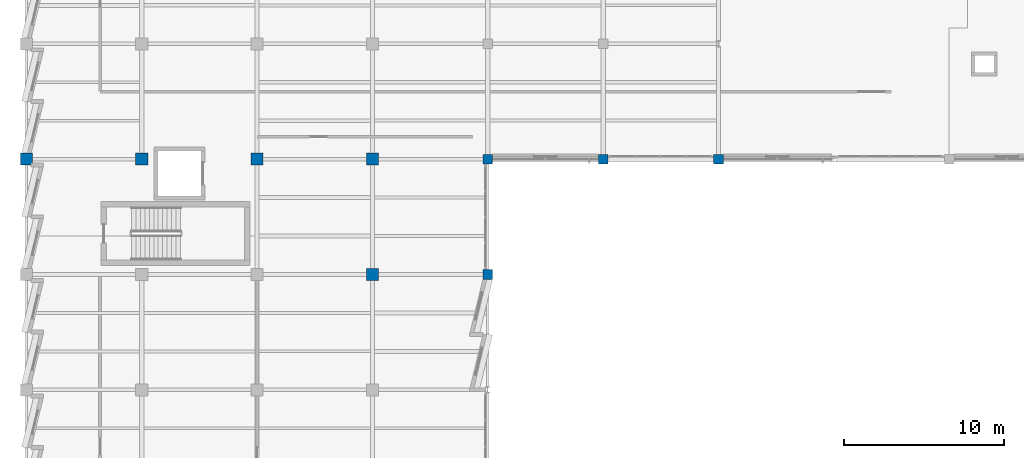
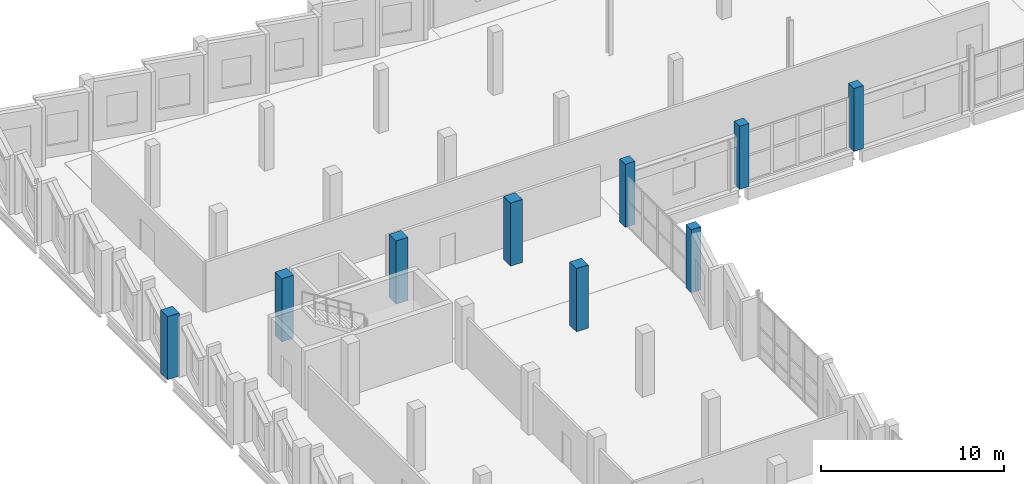
# One storey, part 8 of 94: 9 columns.
"""IFC4 building model written with IfcOpenShell, lengths in metres."""

from ifc_helpers import new_model, si_unit, direction, frame, origin, origin_2d, place, context, subcontext, project, spatial, rectangle, extrude, material, material_profile, profile_set, type_object, element, save


model = new_model("IFC4")

# Units and contexts
model_context = context("Model", 3, precision=1e-05, world=origin(), true_north=direction((0.0, 1.0)))
body_context = subcontext(model_context, "Body", "Model", "MODEL_VIEW")
ifc_project = project(units=[si_unit("LENGTHUNIT", "METRE"), si_unit("AREAUNIT", "SQUARE_METRE"), si_unit("VOLUMEUNIT", "CUBIC_METRE"), si_unit("PLANEANGLEUNIT", "RADIAN"), si_unit("MASSUNIT", "GRAM", prefix="KILO")], contexts=[model_context])

# Site, building, storey
site_placement = place(None, origin())
site = spatial("IfcSite", under=ifc_project, at=site_placement, CompositionType="ELEMENT")
building_placement = place(site_placement, origin())
building = spatial("IfcBuilding", under=site, at=building_placement, Name="Kalmorath City Hall", CompositionType="ELEMENT")
storey_placement = place(building_placement, frame((0.0, 0.0, 14.699951171875)))
storey = spatial("IfcBuildingStorey", under=building, at=storey_placement, Name="L03", CompositionType="ELEMENT", Elevation=14.699951171875)

# Columns
ifc_material_1 = material(Name="Concrete C50/60", Category="concrete")
ifc_material_profile_1 = material_profile(ifc_material_1, rectangle(XDim=0.60009765625, YDim=0.60009765625, at=origin_2d()), Name="RC-COL-600X600")
ifc_profile_set_1 = profile_set([ifc_material_profile_1], Name="Concrete C50/60")
column_type_1 = type_object("IfcColumnType", Name="Concrete column 600x600", PredefinedType="COLUMN", material=ifc_profile_set_1)
for number, where, z_axis, x_axis, name in (
    (1, (28.800048828125, 86.39990234375, 0.0), (0.0, 0.0, 1.0), (1.0, 0.0, 0.0), "L03 column C6 (5/13)"),
    (2, (28.800048828125, 93.60009765625, 0.0), (0.0, 0.0, 1.0), (1.0, 0.0, 0.0), "L03 column C6 (5/14)"),
    (3, (36.0, 93.60009765625, 0.0), (0.0, 0.0, 1.0), (1.0, 0.0, 0.0), "L03 column C6 (6/14)"),
    (4, (43.199951171875, 93.60009765625, 0.0), (0.0, 0.0, 1.0), (1.0, 0.0, 0.0), "L03 column C6 (7/14)"),
):
    element("IfcColumn", number, at=place(storey_placement, frame(where, z_axis=z_axis, x_axis=x_axis)), inside=storey, type_object=column_type_1, Name=name, PredefinedType="COLUMN", context=body_context, shape_type="SweptSolid", body=[
        extrude(rectangle(XDim=0.60009765625, YDim=0.60009765625, at=origin_2d()), origin(), (0.0, 0.0, 1.0), 4.199951171875),
    ])
ifc_material_2 = material(Name="Concrete C50/60", Category="concrete")
ifc_material_profile_2 = material_profile(ifc_material_2, rectangle(XDim=0.75, YDim=0.75, at=origin_2d()), Name="RC-COL-750X750")
ifc_profile_set_2 = profile_set([ifc_material_profile_2], Name="Concrete C50/60")
column_type_2 = type_object("IfcColumnType", Name="Concrete column 750x750", PredefinedType="COLUMN", material=ifc_profile_set_2)
for number, where, z_axis, x_axis, name in (
    (5, (0.0, 93.60009765625, 0.0), (0.0, 0.0, 1.0), (1.0, 0.0, 0.0), "L03 column C3 (1/14)"),
    (6, (7.199951171875, 93.60009765625, 0.0), (0.0, 0.0, 1.0), (1.0, 0.0, 0.0), "L03 column C3 (2/14)"),
    (7, (14.39990234375, 93.60009765625, 0.0), (0.0, 0.0, 1.0), (1.0, 0.0, 0.0), "L03 column C3 (3/14)"),
    (8, (21.60009765625, 86.39990234375, 0.0), (0.0, 0.0, 1.0), (1.0, 0.0, 0.0), "L03 column C3 (4/13)"),
    (9, (21.60009765625, 93.60009765625, 0.0), (0.0, 0.0, 1.0), (1.0, 0.0, 0.0), "L03 column C3 (4/14)"),
):
    element("IfcColumn", number, at=place(storey_placement, frame(where, z_axis=z_axis, x_axis=x_axis)), inside=storey, type_object=column_type_2, Name=name, PredefinedType="COLUMN", context=body_context, shape_type="SweptSolid", body=[
        extrude(rectangle(XDim=0.75, YDim=0.75, at=origin_2d()), origin(), (0.0, 0.0, 1.0), 4.199951171875),
    ])

save(model, "model.ifc")
